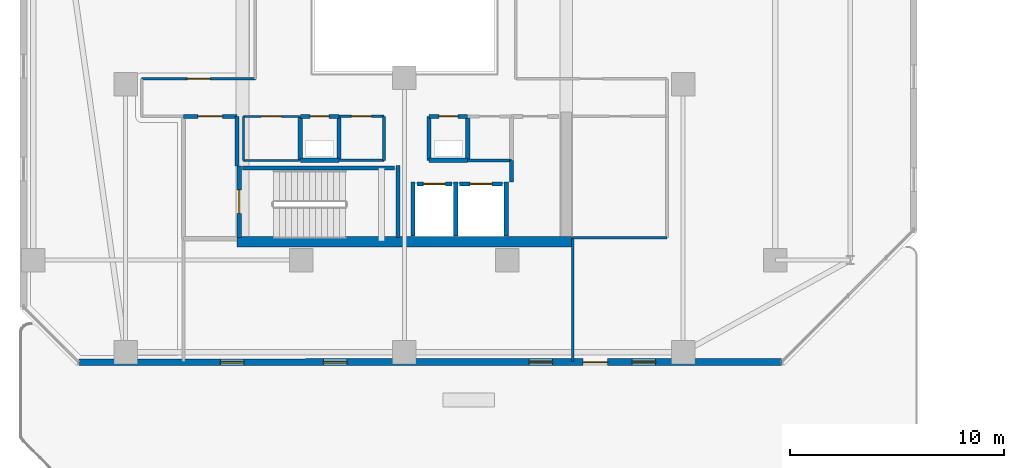
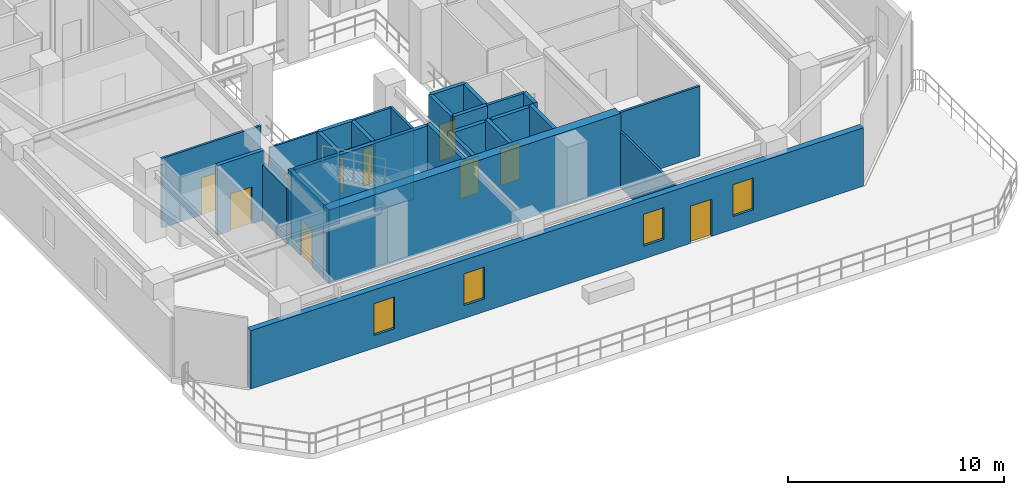
# One storey, part 20 of 33: 31 walls, 10 doors, 4 windows, 14 openings.
"""IFC4 building model written with IfcOpenShell, lengths in metres."""

from ifc_helpers import new_model, si_unit, direction, frame, frame_2d, origin, place, context, subcontext, project, spatial, rectangle, extrude, material, layer, layer_set, type_object, element, fill, save


model = new_model("IFC4")

# Units and contexts
model_context = context("Model", 3, precision=1e-05, world=origin(), true_north=direction((0.0, 1.0)))
body_context = subcontext(model_context, "Body", "Model", "MODEL_VIEW")
ifc_project = project(units=[si_unit("LENGTHUNIT", "METRE"), si_unit("AREAUNIT", "SQUARE_METRE"), si_unit("VOLUMEUNIT", "CUBIC_METRE"), si_unit("PLANEANGLEUNIT", "RADIAN"), si_unit("MASSUNIT", "GRAM", prefix="KILO")], contexts=[model_context])

# Site, building, storey
site_placement = place(None, origin())
site = spatial("IfcSite", under=ifc_project, at=site_placement, CompositionType="ELEMENT")
building_placement = place(site_placement, origin())
building = spatial("IfcBuilding", under=site, at=building_placement, Name="Thornwick Lancets Civic Towers", CompositionType="ELEMENT")
storey_placement = place(building_placement, frame((0.0, 0.0, 174.300048828125)))
storey = spatial("IfcBuildingStorey", under=building, at=storey_placement, Name="L46", CompositionType="ELEMENT", Elevation=174.300048828125)

# Wall, opening, door
ifc_material_1 = material(Name="Concrete blockwork C40/50", Category="masonry")
ifc_layer_1 = layer(ifc_material_1, 0.199951171875, Name="Concrete blockwork C40/50")
ifc_layer_set_1 = layer_set([ifc_layer_1], Name="Concrete blockwork C40/50")
wall_type_1 = type_object("IfcWallType", Name="WALL_COMP_200", PredefinedType="STANDARD", material=ifc_layer_set_1)
wall_1_placement = place(storey_placement, frame((26.080078125, 17.550048828125, 0.0), z_axis=(0.0, 0.0, 1.0), x_axis=(1.0, 0.0, 0.0)))
wall_1 = element("IfcWall", 1, at=wall_1_placement, inside=storey, type_object=wall_type_1, Name="L46 Hoistway Front Wall FL-A1", PredefinedType="STANDARD", context=body_context, shape_type="SweptSolid", body=[
    extrude(rectangle(XDim=1.639892578125, YDim=0.199951171875, at=frame_2d((0.81982421875, 0.0))), origin(), (0.0, 0.0, 1.0), 3.93994140625),
])
opening_1_placement = place(wall_1_placement, frame((0.31005859375, 0.0, 0.0)))
opening_1 = element("IfcOpeningElement", 2, at=opening_1_placement, cuts=wall_1, Name="Opening LD-FL-A1", PredefinedType="OPENING", context=body_context, shape_type="SweptSolid", body=[
    extrude(rectangle(XDim=1.02001953125, YDim=2.06005859375, at=frame_2d((0.510009765625, 1.030029296875))), frame((0.0, 0.10986328125, 0.0), z_axis=(0.0, -1.0, 0.0), x_axis=(1.0, 0.0, 0.0)), (0.0, 0.0, 1.0), 0.219970703125),
])
ifc_material_2 = material(Name="Brushed bronze stainless steel", Category="steel")
door_type_1 = type_object("IfcDoorType", Name="DOOR_LIFT_SLIDE", OperationType="SLIDING_TO_LEFT", PredefinedType="DOOR", material=ifc_material_2)
door_1_placement = place(opening_1_placement, origin())
door_1 = element("IfcDoor", 3, at=door_1_placement, inside=storey, type_object=door_type_1, Name="L46 Sliding Lift Landing Door LD-FL-A1", OperationType="SLIDING_TO_LEFT", OverallHeight=2.06005859375, OverallWidth=1.02001953125, PredefinedType="DOOR", context=body_context, shape_type="SweptSolid", body=[
    extrude(rectangle(XDim=1.02001953125, YDim=2.06005859375, at=frame_2d((0.510009765625, 1.030029296875))), frame((0.0, 0.02490234375, 0.0), z_axis=(0.0, -1.0, 0.0), x_axis=(1.0, 0.0, 0.0)), (0.0, 0.0, 1.0), 0.050048828125),
])
fill(opening_1, door_1)

wall_2_placement = place(storey_placement, frame((28.080078125, 17.550048828125, 0.0), z_axis=(0.0, 0.0, 1.0), x_axis=(1.0, 0.0, 0.0)))
wall_2 = element("IfcWall", 4, at=wall_2_placement, inside=storey, type_object=wall_type_1, Name="L46 Hoistway Front Wall PL-AH1", PredefinedType="STANDARD", context=body_context, shape_type="SweptSolid", body=[
    extrude(rectangle(XDim=1.989990234375, YDim=0.199951171875, at=frame_2d((0.9951171875, 0.0))), origin(), (0.0, 0.0, 1.0), 3.93994140625),
])
opening_2_placement = place(wall_2_placement, frame((0.485107421875, 0.0, 0.0)))
opening_2 = element("IfcOpeningElement", 5, at=opening_2_placement, cuts=wall_2, Name="Opening LD-PL-AH1", PredefinedType="OPENING", context=body_context, shape_type="SweptSolid", body=[
    extrude(rectangle(XDim=1.02001953125, YDim=2.06005859375, at=frame_2d((0.510009765625, 1.030029296875))), frame((0.0, 0.10986328125, 0.0), z_axis=(0.0, -1.0, 0.0), x_axis=(1.0, 0.0, 0.0)), (0.0, 0.0, 1.0), 0.219970703125),
])
door_2_placement = place(opening_2_placement, origin())
door_2 = element("IfcDoor", 6, at=door_2_placement, inside=storey, type_object=door_type_1, Name="L46 Sliding Lift Landing Door LD-PL-AH1", OperationType="SLIDING_TO_LEFT", OverallHeight=2.06005859375, OverallWidth=1.02001953125, PredefinedType="DOOR", context=body_context, shape_type="SweptSolid", body=[
    extrude(rectangle(XDim=1.02001953125, YDim=2.06005859375, at=frame_2d((0.510009765625, 1.030029296875))), frame((0.0, 0.02490234375, 0.0), z_axis=(0.0, -1.0, 0.0), x_axis=(1.0, 0.0, 0.0)), (0.0, 0.0, 1.0), 0.050048828125),
])
fill(opening_2, door_2)

# Walls
for number, where, z_axis, x_axis, name in (
    (7, (27.89990234375, 15.112060546875, 0.0), (0.0, 0.0, 1.0), (0.0, 1.0, 0.0), "L46 Hoistway Shaft Wall FL-A1 E"),
    (8, (25.89990234375, 15.112060546875, 0.0), (0.0, 0.0, 1.0), (0.0, 1.0, 0.0), "L46 Hoistway Shaft Wall FL-A1 W"),
    (9, (30.25, 15.112060546875, 0.0), (0.0, 0.0, 1.0), (0.0, 1.0, 0.0), "L46 Hoistway Shaft Wall PL-AH1 E"),
):
    element("IfcWall", number, at=place(storey_placement, frame(where, z_axis=z_axis, x_axis=x_axis)), inside=storey, type_object=wall_type_1, Name=name, PredefinedType="STANDARD", context=body_context, shape_type="SweptSolid", body=[
        extrude(rectangle(XDim=2.535888671875, YDim=0.199951171875, at=frame_2d((1.26806640625, 0.0))), origin(), (0.0, 0.0, 1.0), 3.93994140625),
    ])
wall_3_placement = place(storey_placement, frame((17.699951171875, 18.39990234375, 0.0), z_axis=(0.0, 0.0, 1.0), x_axis=(0.0, 1.0, 0.0)))
element("IfcWall", 10, at=wall_3_placement, inside=storey, type_object=wall_type_1, Name="L46 Partition L46-A-FFLOB1 E2", PredefinedType="STANDARD", context=body_context, shape_type="SweptSolid", body=[
    extrude(rectangle(XDim=2.300048828125, YDim=0.199951171875, at=frame_2d((1.14990234375, 0.0))), origin(), (0.0, 0.0, 1.0), 3.14501953125),
])

# Wall, opening, door
wall_4_placement = place(storey_placement, frame((17.699951171875, 20.699951171875, 0.0), z_axis=(0.0, 0.0, 1.0), x_axis=(-1.0, 0.0, 0.0)))
wall_4 = element("IfcWall", 11, at=wall_4_placement, inside=storey, type_object=wall_type_1, Name="L46 Partition L46-A-FFLOB1 E3", PredefinedType="STANDARD", context=body_context, shape_type="SweptSolid", body=[
    extrude(rectangle(XDim=2.5, YDim=0.199951171875, at=frame_2d((1.25, 0.0))), origin(), (0.0, 0.0, 1.0), 3.93994140625),
])
opening_3_placement = place(wall_4_placement, frame((0.675048828125, 0.0, 0.0)))
opening_3 = element("IfcOpeningElement", 12, at=opening_3_placement, cuts=wall_4, Name="Opening D-L46-2049", PredefinedType="OPENING", context=body_context, shape_type="SweptSolid", body=[
    extrude(rectangle(XDim=1.14990234375, YDim=2.10009765625, at=frame_2d((0.574951171875, 1.050048828125))), frame((0.0, 0.10986328125, 0.0), z_axis=(0.0, -1.0, 0.0), x_axis=(1.0, 0.0, 0.0)), (0.0, 0.0, 1.0), 0.219970703125),
])
ifc_material_3 = material(Name="Glazed fire-resisting steel", Category="steel")
door_type_2 = type_object("IfcDoorType", Name="DOOR_LOBBY_FD60", OperationType="NOTDEFINED", PredefinedType="DOOR", material=ifc_material_3)
door_3_placement = place(opening_3_placement, origin())
door_3 = element("IfcDoor", 13, at=door_3_placement, inside=storey, type_object=door_type_2, Name="L46 South Firefighting Lobby 1 Door", OperationType="SINGLE_SWING_RIGHT", OverallHeight=2.10009765625, OverallWidth=1.14990234375, PredefinedType="DOOR", context=body_context, shape_type="SweptSolid", body=[
    extrude(rectangle(XDim=1.14990234375, YDim=2.10009765625, at=frame_2d((0.574951171875, 1.050048828125))), frame((0.0, 0.02490234375, 0.0), z_axis=(0.0, -1.0, 0.0), x_axis=(1.0, 0.0, 0.0)), (0.0, 0.0, 1.0), 0.050048828125),
])
fill(opening_3, door_3)

# Walls
wall_5_placement = place(storey_placement, frame((26.64990234375, 18.64990234375, 0.0), z_axis=(0.0, 0.0, 1.0), x_axis=(1.0, 0.0, 0.0)))
element("IfcWall", 14, at=wall_5_placement, inside=storey, type_object=wall_type_1, Name="L46 Partition L46-A-DUCT1 E1", PredefinedType="STANDARD", context=body_context, shape_type="SweptSolid", body=[
    extrude(rectangle(XDim=1.800048828125, YDim=0.199951171875, at=frame_2d((0.89990234375, 0.0))), origin(), (0.0, 0.0, 1.0), 3.93994140625),
])
wall_6_placement = place(storey_placement, frame((28.449951171875, 18.64990234375, 0.0), z_axis=(0.0, 0.0, 1.0), x_axis=(0.0, 1.0, 0.0)))
element("IfcWall", 15, at=wall_6_placement, inside=storey, type_object=wall_type_1, Name="L46 Partition L46-A-DUCT1 E2", PredefinedType="STANDARD", context=body_context, shape_type="SweptSolid", body=[
    extrude(rectangle(XDim=2.050048828125, YDim=0.199951171875, at=frame_2d((1.02490234375, 0.0))), origin(), (0.0, 0.0, 1.0), 3.93994140625),
])

# Wall, opening, door
wall_7_placement = place(storey_placement, frame((28.449951171875, 20.699951171875, 0.0), z_axis=(0.0, 0.0, 1.0), x_axis=(-1.0, 0.0, 0.0)))
wall_7 = element("IfcWall", 16, at=wall_7_placement, inside=storey, type_object=wall_type_1, Name="L46 Partition L46-A-DUCT1 E3", PredefinedType="STANDARD", context=body_context, shape_type="SweptSolid", body=[
    extrude(rectangle(XDim=1.800048828125, YDim=0.199951171875, at=frame_2d((0.89990234375, 0.0))), origin(), (0.0, 0.0, 1.0), 3.93994140625),
])
opening_4_placement = place(wall_7_placement, frame((0.4599609375, 0.0, 0.0)))
opening_4 = element("IfcOpeningElement", 17, at=opening_4_placement, cuts=wall_7, Name="Opening D-L46-2051", PredefinedType="OPENING", context=body_context, shape_type="SweptSolid", body=[
    extrude(rectangle(XDim=0.8798828125, YDim=2.0400390625, at=frame_2d((0.43994140625, 1.02001953125))), frame((0.0, 0.10986328125, 0.0), z_axis=(0.0, -1.0, 0.0), x_axis=(1.0, 0.0, 0.0)), (0.0, 0.0, 1.0), 0.219970703125),
])
ifc_material_4 = material(Name="Steel riser access doorset", Category="steel")
door_type_3 = type_object("IfcDoorType", Name="DOOR_RISER_850", OperationType="NOTDEFINED", PredefinedType="DOOR", material=ifc_material_4)
door_4_placement = place(opening_4_placement, origin())
door_4 = element("IfcDoor", 18, at=door_4_placement, inside=storey, type_object=door_type_3, Name="L46 South Service Duct 1 Door", OperationType="SINGLE_SWING_RIGHT", OverallHeight=2.0400390625, OverallWidth=0.8798828125, PredefinedType="DOOR", context=body_context, shape_type="SweptSolid", body=[
    extrude(rectangle(XDim=0.8798828125, YDim=2.0400390625, at=frame_2d((0.43994140625, 1.02001953125))), frame((0.0, 0.02490234375, 0.0), z_axis=(0.0, -1.0, 0.0), x_axis=(1.0, 0.0, 0.0)), (0.0, 0.0, 1.0), 0.050048828125),
])
fill(opening_4, door_4)

# Walls
wall_8_placement = place(storey_placement, frame((26.64990234375, 20.699951171875, 0.0), z_axis=(0.0, 0.0, 1.0), x_axis=(0.0, -1.0, 0.0)))
element("IfcWall", 19, at=wall_8_placement, inside=storey, type_object=wall_type_1, Name="L46 Partition L46-A-DUCT1 E4", PredefinedType="STANDARD", context=body_context, shape_type="SweptSolid", body=[
    extrude(rectangle(XDim=2.050048828125, YDim=0.199951171875, at=frame_2d((1.02490234375, 0.0))), origin(), (0.0, 0.0, 1.0), 3.93994140625),
])
wall_9_placement = place(storey_placement, frame((20.64990234375, 18.64990234375, 0.0), z_axis=(0.0, 0.0, 1.0), x_axis=(1.0, 0.0, 0.0)))
element("IfcWall", 20, at=wall_9_placement, inside=storey, type_object=wall_type_1, Name="L46 Partition L46-A-RISER1 E1", PredefinedType="STANDARD", context=body_context, shape_type="SweptSolid", body=[
    extrude(rectangle(XDim=1.800048828125, YDim=0.199951171875, at=frame_2d((0.89990234375, 0.0))), origin(), (0.0, 0.0, 1.0), 3.93994140625),
])
wall_10_placement = place(storey_placement, frame((22.449951171875, 18.64990234375, 0.0), z_axis=(0.0, 0.0, 1.0), x_axis=(0.0, 1.0, 0.0)))
element("IfcWall", 21, at=wall_10_placement, inside=storey, type_object=wall_type_1, Name="L46 Partition L46-A-RISER1 E2", PredefinedType="STANDARD", context=body_context, shape_type="SweptSolid", body=[
    extrude(rectangle(XDim=2.050048828125, YDim=0.199951171875, at=frame_2d((1.02490234375, 0.0))), origin(), (0.0, 0.0, 1.0), 3.93994140625),
])

# Wall, opening, door
wall_11_placement = place(storey_placement, frame((22.449951171875, 20.699951171875, 0.0), z_axis=(0.0, 0.0, 1.0), x_axis=(-1.0, 0.0, 0.0)))
wall_11 = element("IfcWall", 22, at=wall_11_placement, inside=storey, type_object=wall_type_1, Name="L46 Partition L46-A-RISER1 E3", PredefinedType="STANDARD", context=body_context, shape_type="SweptSolid", body=[
    extrude(rectangle(XDim=1.800048828125, YDim=0.199951171875, at=frame_2d((0.89990234375, 0.0))), origin(), (0.0, 0.0, 1.0), 3.93994140625),
])
opening_5_placement = place(wall_11_placement, frame((0.4599609375, 0.0, 0.0)))
opening_5 = element("IfcOpeningElement", 23, at=opening_5_placement, cuts=wall_11, Name="Opening D-L46-2052", PredefinedType="OPENING", context=body_context, shape_type="SweptSolid", body=[
    extrude(rectangle(XDim=0.8798828125, YDim=2.0400390625, at=frame_2d((0.43994140625, 1.02001953125))), frame((0.0, 0.10986328125, 0.0), z_axis=(0.0, -1.0, 0.0), x_axis=(1.0, 0.0, 0.0)), (0.0, 0.0, 1.0), 0.219970703125),
])
door_5_placement = place(opening_5_placement, origin())
door_5 = element("IfcDoor", 24, at=door_5_placement, inside=storey, type_object=door_type_3, Name="L46 South Electrical Riser 1 Door", OperationType="SINGLE_SWING_LEFT", OverallHeight=2.0400390625, OverallWidth=0.8798828125, PredefinedType="DOOR", context=body_context, shape_type="SweptSolid", body=[
    extrude(rectangle(XDim=0.8798828125, YDim=2.0400390625, at=frame_2d((0.43994140625, 1.02001953125))), frame((0.0, 0.02490234375, 0.0), z_axis=(0.0, -1.0, 0.0), x_axis=(1.0, 0.0, 0.0)), (0.0, 0.0, 1.0), 0.050048828125),
])
fill(opening_5, door_5)

# Walls
wall_12_placement = place(storey_placement, frame((20.64990234375, 20.699951171875, 0.0), z_axis=(0.0, 0.0, 1.0), x_axis=(0.0, -1.0, 0.0)))
element("IfcWall", 25, at=wall_12_placement, inside=storey, type_object=wall_type_1, Name="L46 Partition L46-A-RISER1 E4", PredefinedType="STANDARD", context=body_context, shape_type="SweptSolid", body=[
    extrude(rectangle(XDim=2.050048828125, YDim=0.199951171875, at=frame_2d((1.02490234375, 0.0))), origin(), (0.0, 0.0, 1.0), 3.93994140625),
])
wall_13_placement = place(storey_placement, frame((30.5, 17.64794921875, 0.0), z_axis=(0.0, 0.0, 1.0), x_axis=(0.0, 1.0, 0.0)))
element("IfcWall", 26, at=wall_13_placement, inside=storey, type_object=wall_type_1, Name="L46 Partition L46-A-STR2 E3", PredefinedType="STANDARD", context=body_context, shape_type="SweptSolid", body=[
    extrude(rectangle(XDim=1.001953125, YDim=0.199951171875, at=frame_2d((0.5009765625, 0.0))), origin(), (0.0, 0.0, 1.0), 3.93994140625),
])
ifc_material_5 = material(Name="Concrete C50/60", Category="concrete")
ifc_layer_2 = layer(ifc_material_5, 0.5, Name="Concrete C50/60")
ifc_layer_set_2 = layer_set([ifc_layer_2], Name="Concrete C50/60")
wall_type_2 = type_object("IfcWallType", Name="WALL_CORE_500", PredefinedType="SHEAR", material=ifc_layer_set_2)
wall_14_placement = place(storey_placement, frame((17.699951171875, 14.85009765625, 0.0), z_axis=(0.0, 0.0, 1.0), x_axis=(1.0, 0.0, 0.0)))
element("IfcWall", 27, at=wall_14_placement, inside=storey, type_object=wall_type_2, Name="L46 Split Core A1 Shear Wall S", PredefinedType="SHEAR", context=body_context, shape_type="SweptSolid", body=[
    extrude(rectangle(XDim=15.60009765625, YDim=0.5, at=frame_2d((7.800048828125, 0.0))), origin(), (0.0, 0.0, 1.0), 4.199951171875),
])

# Wall, openings, door, windows
ifc_material_6 = material(Name="Insulated buff terracotta rainscreen on concrete C40/50", Category="masonry")
ifc_layer_3 = layer(ifc_material_6, 0.320068359375, Name="Insulated buff terracotta rainscreen on concrete C40/50")
ifc_layer_set_3 = layer_set([ifc_layer_3], Name="Insulated buff terracotta rainscreen on concrete C40/50")
wall_type_3 = type_object("IfcWallType", Name="WALL_EXT_TERRA_320", PredefinedType="STANDARD", material=ifc_layer_set_3)
wall_15_placement = place(storey_placement, frame((10.318603515625, 9.2353515625, 0.0), z_axis=(0.0, 0.0, 1.0), x_axis=(0.999999933399, 0.000364968916, 0.0)))
wall_15 = element("IfcWall", 28, at=wall_15_placement, inside=storey, type_object=wall_type_3, Name="L46 Tower A Terracotta Facade Wall E0", PredefinedType="STANDARD", context=body_context, shape_type="SweptSolid", body=[
    extrude(rectangle(XDim=32.77783203125, YDim=0.320068359375, at=frame_2d((16.388916015625, 0.0))), origin(), (0.0, 0.0, 1.0), 3.300048828125),
])
opening_6_placement = place(wall_15_placement, frame((23.513916015625, 0.0, 0.0)))
opening_6 = element("IfcOpeningElement", 29, at=opening_6_placement, cuts=wall_15, Name="Opening D-SG-L46-A0", PredefinedType="OPENING", context=body_context, shape_type="SweptSolid", body=[
    extrude(rectangle(XDim=1.14990234375, YDim=2.10009765625, at=frame_2d((0.574951171875, 1.050048828125))), frame((0.0, 0.169921875, 0.0), z_axis=(0.0, -1.0, 0.0), x_axis=(1.0, 0.0, 0.0)), (0.0, 0.0, 1.0), 0.340087890625),
])
opening_7_placement = place(wall_15_placement, frame((6.60009765625, 0.0, 0.719970703125)))
opening_7 = element("IfcOpeningElement", 30, at=opening_7_placement, cuts=wall_15, Name="Opening WL-02", PredefinedType="OPENING", context=body_context, shape_type="SweptSolid", body=[
    extrude(rectangle(XDim=1.10009765625, YDim=1.800048828125, at=frame_2d((0.550048828125, 0.89990234375))), frame((0.0, 0.169921875, 0.0), z_axis=(0.0, -1.0, 0.0), x_axis=(1.0, 0.0, 0.0)), (0.0, 0.0, 1.0), 0.340087890625),
])
opening_8_placement = place(wall_15_placement, frame((11.39990234375, 0.0, 0.719970703125)))
opening_8 = element("IfcOpeningElement", 31, at=opening_8_placement, cuts=wall_15, Name="Opening WL-02", PredefinedType="OPENING", context=body_context, shape_type="SweptSolid", body=[
    extrude(rectangle(XDim=1.10009765625, YDim=1.800048828125, at=frame_2d((0.550048828125, 0.89990234375))), frame((0.0, 0.169921875, 0.0), z_axis=(0.0, -1.0, 0.0), x_axis=(1.0, 0.0, 0.0)), (0.0, 0.0, 1.0), 0.340087890625),
])
opening_9_placement = place(wall_15_placement, frame((21.0, 0.0, 0.719970703125)))
opening_9 = element("IfcOpeningElement", 32, at=opening_9_placement, cuts=wall_15, Name="Opening WL-02", PredefinedType="OPENING", context=body_context, shape_type="SweptSolid", body=[
    extrude(rectangle(XDim=1.10009765625, YDim=1.800048828125, at=frame_2d((0.550048828125, 0.89990234375))), frame((0.0, 0.169921875, 0.0), z_axis=(0.0, -1.0, 0.0), x_axis=(1.0, 0.0, 0.0)), (0.0, 0.0, 1.0), 0.340087890625),
])
opening_10_placement = place(wall_15_placement, frame((25.800048828125, 0.0, 0.719970703125)))
opening_10 = element("IfcOpeningElement", 33, at=opening_10_placement, cuts=wall_15, Name="Opening WL-02", PredefinedType="OPENING", context=body_context, shape_type="SweptSolid", body=[
    extrude(rectangle(XDim=1.10009765625, YDim=1.800048828125, at=frame_2d((0.550048828125, 0.89990234375))), frame((0.0, 0.169921875, 0.0), z_axis=(0.0, -1.0, 0.0), x_axis=(1.0, 0.0, 0.0)), (0.0, 0.0, 1.0), 0.340087890625),
])
ifc_material_7 = material(Name="Thermally broken glazed terrace doorset")
door_type_4 = type_object("IfcDoorType", Name="DOOR_TERRACE_1200", OperationType="NOTDEFINED", PredefinedType="DOOR", material=ifc_material_7)
door_6_placement = place(opening_6_placement, origin())
door_6 = element("IfcDoor", 34, at=door_6_placement, inside=storey, type_object=door_type_4, Name="L46 Tower A Sky-Garden Terrace Door", OperationType="SINGLE_SWING_RIGHT", OverallHeight=2.10009765625, OverallWidth=1.14990234375, PredefinedType="DOOR", context=body_context, shape_type="SweptSolid", body=[
    extrude(rectangle(XDim=1.14990234375, YDim=2.10009765625, at=frame_2d((0.574951171875, 1.050048828125))), frame((0.0, 0.02490234375, 0.0), z_axis=(0.0, -1.0, 0.0), x_axis=(1.0, 0.0, 0.0)), (0.0, 0.0, 1.0), 0.050048828125),
])
fill(opening_6, door_6)
ifc_material_8 = material(Name="Clear low-e double glazing in bronze frame", Category="glass")
window_type = type_object("IfcWindowType", Name="WIN_LANCET_1100", PartitioningType="SINGLE_PANEL", PredefinedType="WINDOW", material=ifc_material_8)
window_1_placement = place(opening_7_placement, origin())
window_1 = element("IfcWindow", 35, at=window_1_placement, inside=storey, type_object=window_type, Name="L46 Tower A Staggered Lancet Window E0-1", OverallHeight=1.800048828125, OverallWidth=1.10009765625, PartitioningType="SINGLE_PANEL", PredefinedType="WINDOW", context=body_context, shape_type="SweptSolid", body=[
    extrude(rectangle(XDim=1.10009765625, YDim=1.800048828125, at=frame_2d((0.550048828125, 0.89990234375))), frame((0.0, 0.030029296875, 0.0), z_axis=(0.0, -1.0, 0.0), x_axis=(1.0, 0.0, 0.0)), (0.0, 0.0, 1.0), 0.06005859375),
])
fill(opening_7, window_1)
window_2_placement = place(opening_8_placement, origin())
window_2 = element("IfcWindow", 36, at=window_2_placement, inside=storey, type_object=window_type, Name="L46 Tower A Staggered Lancet Window E0-2", OverallHeight=1.800048828125, OverallWidth=1.10009765625, PartitioningType="SINGLE_PANEL", PredefinedType="WINDOW", context=body_context, shape_type="SweptSolid", body=[
    extrude(rectangle(XDim=1.10009765625, YDim=1.800048828125, at=frame_2d((0.550048828125, 0.89990234375))), frame((0.0, 0.030029296875, 0.0), z_axis=(0.0, -1.0, 0.0), x_axis=(1.0, 0.0, 0.0)), (0.0, 0.0, 1.0), 0.06005859375),
])
fill(opening_8, window_2)
window_3_placement = place(opening_9_placement, origin())
window_3 = element("IfcWindow", 37, at=window_3_placement, inside=storey, type_object=window_type, Name="L46 Tower A Staggered Lancet Window E0-3", OverallHeight=1.800048828125, OverallWidth=1.10009765625, PartitioningType="SINGLE_PANEL", PredefinedType="WINDOW", context=body_context, shape_type="SweptSolid", body=[
    extrude(rectangle(XDim=1.10009765625, YDim=1.800048828125, at=frame_2d((0.550048828125, 0.89990234375))), frame((0.0, 0.030029296875, 0.0), z_axis=(0.0, -1.0, 0.0), x_axis=(1.0, 0.0, 0.0)), (0.0, 0.0, 1.0), 0.06005859375),
])
fill(opening_9, window_3)
window_4_placement = place(opening_10_placement, origin())
window_4 = element("IfcWindow", 38, at=window_4_placement, inside=storey, type_object=window_type, Name="L46 Tower A Staggered Lancet Window E0-4", OverallHeight=1.800048828125, OverallWidth=1.10009765625, PartitioningType="SINGLE_PANEL", PredefinedType="WINDOW", context=body_context, shape_type="SweptSolid", body=[
    extrude(rectangle(XDim=1.10009765625, YDim=1.800048828125, at=frame_2d((0.550048828125, 0.89990234375))), frame((0.0, 0.030029296875, 0.0), z_axis=(0.0, -1.0, 0.0), x_axis=(1.0, 0.0, 0.0)), (0.0, 0.0, 1.0), 0.06005859375),
])
fill(opening_10, window_4)

# Wall
ifc_material_9 = material(Name="Lightweight cellular office partition")
ifc_layer_4 = layer(ifc_material_9, 0.10009765625, Name="Lightweight cellular office partition")
ifc_layer_set_4 = layer_set([ifc_layer_4], Name="Lightweight cellular office partition")
wall_type_4 = type_object("IfcWallType", Name="WALL_PART_100", PredefinedType="PARTITIONING", material=ifc_layer_set_4)
wall_16_placement = place(storey_placement, frame((18.0, 18.64990234375, 0.0), z_axis=(0.0, 0.0, 1.0), x_axis=(1.0, 0.0, 0.0)))
element("IfcWall", 39, at=wall_16_placement, inside=storey, type_object=wall_type_4, Name="L46 Partition L46-A-CLN E1", PredefinedType="PARTITIONING", context=body_context, shape_type="SweptSolid", body=[
    extrude(rectangle(XDim=2.60009765625, YDim=0.10009765625, at=frame_2d((1.300048828125, 0.0))), origin(), (0.0, 0.0, 1.0), 3.93994140625),
])

# Wall, opening, door
wall_17_placement = place(storey_placement, frame((20.60009765625, 20.699951171875, 0.0), z_axis=(0.0, 0.0, 1.0), x_axis=(-1.0, 0.0, 0.0)))
wall_17 = element("IfcWall", 40, at=wall_17_placement, inside=storey, type_object=wall_type_4, Name="L46 Partition L46-A-CLN E3", PredefinedType="PARTITIONING", context=body_context, shape_type="SweptSolid", body=[
    extrude(rectangle(XDim=2.60009765625, YDim=0.10009765625, at=frame_2d((1.300048828125, 0.0))), origin(), (0.0, 0.0, 1.0), 3.93994140625),
])
opening_11_placement = place(wall_17_placement, frame((0.824951171875, 0.0, 0.0)))
opening_11 = element("IfcOpeningElement", 41, at=opening_11_placement, cuts=wall_17, Name="Opening D-L46-2055", PredefinedType="OPENING", context=body_context, shape_type="SweptSolid", body=[
    extrude(rectangle(XDim=0.949951171875, YDim=2.10009765625, at=frame_2d((0.47509765625, 1.050048828125))), frame((0.0, 0.06005859375, 0.0), z_axis=(0.0, -1.0, 0.0), x_axis=(1.0, 0.0, 0.0)), (0.0, 0.0, 1.0), 0.1201171875),
])
ifc_material_10 = material(Name="European oak acoustic doorset")
door_type_5 = type_object("IfcDoorType", Name="DOOR_OFFICE_950", OperationType="NOTDEFINED", PredefinedType="DOOR", material=ifc_material_10)
door_7_placement = place(opening_11_placement, origin())
door_7 = element("IfcDoor", 42, at=door_7_placement, inside=storey, type_object=door_type_5, Name="L46 Tower A Cleaners Store Door", OperationType="SINGLE_SWING_RIGHT", OverallHeight=2.10009765625, OverallWidth=0.949951171875, PredefinedType="DOOR", context=body_context, shape_type="SweptSolid", body=[
    extrude(rectangle(XDim=0.949951171875, YDim=2.10009765625, at=frame_2d((0.47509765625, 1.050048828125))), frame((0.0, 0.02490234375, 0.0), z_axis=(0.0, -1.0, 0.0), x_axis=(1.0, 0.0, 0.0)), (0.0, 0.0, 1.0), 0.050048828125),
])
fill(opening_11, door_7)

# Walls
wall_18_placement = place(storey_placement, frame((18.0, 20.699951171875, 0.0), z_axis=(0.0, 0.0, 1.0), x_axis=(0.0, -1.0, 0.0)))
element("IfcWall", 43, at=wall_18_placement, inside=storey, type_object=wall_type_4, Name="L46 Partition L46-A-CLN E4", PredefinedType="PARTITIONING", context=body_context, shape_type="SweptSolid", body=[
    extrude(rectangle(XDim=2.050048828125, YDim=0.10009765625, at=frame_2d((1.02490234375, 0.0))), origin(), (0.0, 0.0, 1.0), 3.14501953125),
])
ifc_material_11 = material(Name="Acoustic gypsum board partition")
ifc_layer_5 = layer(ifc_material_11, 0.1201171875, Name="Acoustic gypsum board partition")
ifc_layer_set_5 = layer_set([ifc_layer_5], Name="Acoustic gypsum board partition")
wall_type_5 = type_object("IfcWallType", Name="WALL_PART_120", PredefinedType="PARTITIONING", material=ifc_layer_set_5)
wall_19_placement = place(storey_placement, frame((24.550048828125, 20.699951171875, 0.0), z_axis=(0.0, 0.0, 1.0), x_axis=(0.0, -1.0, 0.0)))
element("IfcWall", 44, at=wall_19_placement, inside=storey, type_object=wall_type_5, Name="L46 Partition L46-A-ITR E1", PredefinedType="PARTITIONING", context=body_context, shape_type="SweptSolid", body=[
    extrude(rectangle(XDim=2.050048828125, YDim=0.1201171875, at=frame_2d((1.02490234375, 0.0))), origin(), (0.0, 0.0, 1.0), 3.93994140625),
])
wall_20_placement = place(storey_placement, frame((24.550048828125, 18.64990234375, 0.0), z_axis=(0.0, 0.0, 1.0), x_axis=(-1.0, 0.0, 0.0)))
element("IfcWall", 45, at=wall_20_placement, inside=storey, type_object=wall_type_5, Name="L46 Partition L46-A-ITR E2", PredefinedType="PARTITIONING", context=body_context, shape_type="SweptSolid", body=[
    extrude(rectangle(XDim=2.10009765625, YDim=0.1201171875, at=frame_2d((1.050048828125, 0.0))), origin(), (0.0, 0.0, 1.0), 3.93994140625),
])

# Wall, opening, door
wall_21_placement = place(storey_placement, frame((22.449951171875, 20.699951171875, 0.0), z_axis=(0.0, 0.0, 1.0), x_axis=(1.0, 0.0, 0.0)))
wall_21 = element("IfcWall", 46, at=wall_21_placement, inside=storey, type_object=wall_type_5, Name="L46 Partition L46-A-ITR E4", PredefinedType="PARTITIONING", context=body_context, shape_type="SweptSolid", body=[
    extrude(rectangle(XDim=2.10009765625, YDim=0.1201171875, at=frame_2d((1.050048828125, 0.0))), origin(), (0.0, 0.0, 1.0), 3.93994140625),
])
opening_12_placement = place(wall_21_placement, frame((0.574951171875, 0.0, 0.0)))
opening_12 = element("IfcOpeningElement", 47, at=opening_12_placement, cuts=wall_21, Name="Opening D-L46-2056", PredefinedType="OPENING", context=body_context, shape_type="SweptSolid", body=[
    extrude(rectangle(XDim=0.949951171875, YDim=2.10009765625, at=frame_2d((0.47509765625, 1.050048828125))), frame((0.0, 0.070068359375, 0.0), z_axis=(0.0, -1.0, 0.0), x_axis=(1.0, 0.0, 0.0)), (0.0, 0.0, 1.0), 0.14013671875),
])
door_8_placement = place(opening_12_placement, origin())
door_8 = element("IfcDoor", 48, at=door_8_placement, inside=storey, type_object=door_type_5, Name="L46 Tower A Comms Patch Room Door", OperationType="SINGLE_SWING_LEFT", OverallHeight=2.10009765625, OverallWidth=0.949951171875, PredefinedType="DOOR", context=body_context, shape_type="SweptSolid", body=[
    extrude(rectangle(XDim=0.949951171875, YDim=2.10009765625, at=frame_2d((0.47509765625, 1.050048828125))), frame((0.0, 0.02490234375, 0.0), z_axis=(0.0, -1.0, 0.0), x_axis=(1.0, 0.0, 0.0)), (0.0, 0.0, 1.0), 0.050048828125),
])
fill(opening_12, door_8)

# Wall
wall_22_placement = place(storey_placement, frame((37.75, 15.050048828125, 0.0), z_axis=(0.0, 0.0, 1.0), x_axis=(-1.0, 0.0, 0.0)))
element("IfcWall", 49, at=wall_22_placement, inside=storey, type_object=wall_type_5, Name="L46 Partition L46-A-RECLAIM-L1 E1", PredefinedType="PARTITIONING", context=body_context, shape_type="SweptSolid", body=[
    extrude(rectangle(XDim=4.39990234375, YDim=0.1201171875, at=frame_2d((2.199951171875, 0.0))), origin(), (0.0, 0.0, 1.0), 3.93994140625),
])

# Wall, opening, door
wall_23_placement = place(storey_placement, frame((18.550048828125, 22.449951171875, 0.0), z_axis=(0.0, 0.0, 1.0), x_axis=(-1.0, 0.0, 0.0)))
wall_23 = element("IfcWall", 50, at=wall_23_placement, inside=storey, type_object=wall_type_5, Name="L46 Partition L46-A-W1 E4", PredefinedType="PARTITIONING", context=body_context, shape_type="SweptSolid", body=[
    extrude(rectangle(XDim=5.300048828125, YDim=0.1201171875, at=frame_2d((2.64990234375, 0.0))), origin(), (0.0, 0.0, 1.0), 3.93994140625),
])
opening_13_placement = place(wall_23_placement, frame((2.125, 0.0, 0.0)))
opening_13 = element("IfcOpeningElement", 51, at=opening_13_placement, cuts=wall_23, Name="Opening D-L46-2074", PredefinedType="OPENING", context=body_context, shape_type="SweptSolid", body=[
    extrude(rectangle(XDim=1.050048828125, YDim=2.10009765625, at=frame_2d((0.52490234375, 1.050048828125))), frame((0.0, 0.070068359375, 0.0), z_axis=(0.0, -1.0, 0.0), x_axis=(1.0, 0.0, 0.0)), (0.0, 0.0, 1.0), 0.14013671875),
])
ifc_material_12 = material(Name="Glazed European oak executive doorset")
door_type_6 = type_object("IfcDoorType", Name="DOOR_OFFICE_1050", OperationType="NOTDEFINED", PredefinedType="DOOR", material=ifc_material_12)
door_9_placement = place(opening_13_placement, origin())
door_9 = element("IfcDoor", 52, at=door_9_placement, inside=storey, type_object=door_type_6, Name="L46 Tower A Ministry Directorate Office W1 Door", OperationType="SINGLE_SWING_LEFT", OverallHeight=2.10009765625, OverallWidth=1.050048828125, PredefinedType="DOOR", context=body_context, shape_type="SweptSolid", body=[
    extrude(rectangle(XDim=1.050048828125, YDim=2.10009765625, at=frame_2d((0.52490234375, 1.050048828125))), frame((0.0, 0.02490234375, 0.0), z_axis=(0.0, -1.0, 0.0), x_axis=(1.0, 0.0, 0.0)), (0.0, 0.0, 1.0), 0.050048828125),
])
fill(opening_13, door_9)

# Walls
wall_24_placement = place(storey_placement, frame((33.35009765625, 9.280029296875, 0.0), z_axis=(0.0, 0.0, 1.0), x_axis=(0.0, 1.0, 0.0)))
element("IfcWall", 53, at=wall_24_placement, inside=storey, type_object=wall_type_5, Name="L46 Partition L46-A-E1 E10", PredefinedType="PARTITIONING", context=body_context, shape_type="SweptSolid", body=[
    extrude(rectangle(XDim=5.77001953125, YDim=0.1201171875, at=frame_2d((2.885009765625, 0.0))), origin(), (0.0, 0.0, 1.0), 3.14501953125),
])
ifc_material_13 = material(Name="Twin-stud acoustic gypsum board")
ifc_layer_6 = layer(ifc_material_13, 0.14990234375, Name="Twin-stud acoustic gypsum board")
ifc_layer_set_6 = layer_set([ifc_layer_6], Name="Twin-stud acoustic gypsum board")
wall_type_6 = type_object("IfcWallType", Name="WALL_PART_150", PredefinedType="PARTITIONING", material=ifc_layer_set_6)
wall_25_placement = place(storey_placement, frame((30.5, 18.64990234375, 0.0), z_axis=(0.0, 0.0, 1.0), x_axis=(-1.0, 0.0, 0.0)))
element("IfcWall", 54, at=wall_25_placement, inside=storey, type_object=wall_type_6, Name="L46 Partition L46-A-AWC E2", PredefinedType="PARTITIONING", context=body_context, shape_type="SweptSolid", body=[
    extrude(rectangle(XDim=2.050048828125, YDim=0.14990234375, at=frame_2d((1.02490234375, 0.0))), origin(), (0.0, 0.0, 1.0), 3.93994140625),
])

# Wall, opening, door
ifc_material_14 = material(Name="Concrete C40/50", Category="concrete")
ifc_layer_7 = layer(ifc_material_14, 0.199951171875, Name="Concrete C40/50")
ifc_layer_set_7 = layer_set([ifc_layer_7], Name="Concrete C40/50")
wall_type_7 = type_object("IfcWallType", Name="WALL_SHAFT_200", PredefinedType="SHEAR", material=ifc_layer_set_7)
wall_26_placement = place(storey_placement, frame((17.800048828125, 15.050048828125, 0.0), z_axis=(0.0, 0.0, 1.0), x_axis=(0.0, 1.0, 0.0)))
wall_26 = element("IfcWall", 55, at=wall_26_placement, inside=storey, type_object=wall_type_7, Name="L46 ST-A1 Fire Stair Core Wall NEAR", PredefinedType="SHEAR", context=body_context, shape_type="SweptSolid", body=[
    extrude(rectangle(XDim=3.349853515625, YDim=0.199951171875, at=frame_2d((1.6748046875, 0.0))), origin(), (0.0, 0.0, 1.0), 4.199951171875),
])
opening_14_placement = place(wall_26_placement, frame((1.125, 0.0, 0.0)))
opening_14 = element("IfcOpeningElement", 56, at=opening_14_placement, cuts=wall_26, Name="Opening D-ST-A1-L46", PredefinedType="OPENING", context=body_context, shape_type="SweptSolid", body=[
    extrude(rectangle(XDim=1.10009765625, YDim=2.10009765625, at=frame_2d((0.550048828125, 1.050048828125))), frame((0.0, 0.10986328125, 0.0), z_axis=(0.0, -1.0, 0.0), x_axis=(1.0, 0.0, 0.0)), (0.0, 0.0, 1.0), 0.219970703125),
])
ifc_material_15 = material(Name="Fire-resisting steel and hardwood", Category="steel")
door_type_7 = type_object("IfcDoorType", Name="DOOR_STAIR_FD60", OperationType="NOTDEFINED", PredefinedType="DOOR", material=ifc_material_15)
door_10_placement = place(opening_14_placement, origin())
door_10 = element("IfcDoor", 57, at=door_10_placement, inside=storey, type_object=door_type_7, Name="L46 ST-A1 Exit Stair Door", OperationType="SINGLE_SWING_RIGHT", OverallHeight=2.10009765625, OverallWidth=1.10009765625, PredefinedType="DOOR", context=body_context, shape_type="SweptSolid", body=[
    extrude(rectangle(XDim=1.10009765625, YDim=2.10009765625, at=frame_2d((0.550048828125, 1.050048828125))), frame((0.0, 0.02490234375, 0.0), z_axis=(0.0, -1.0, 0.0), x_axis=(1.0, 0.0, 0.0)), (0.0, 0.0, 1.0), 0.050048828125),
])
fill(opening_14, door_10)

# Walls
wall_27_placement = place(storey_placement, frame((25.199951171875, 18.39990234375, 0.0), z_axis=(0.0, 0.0, 1.0), x_axis=(0.0, -1.0, 0.0)))
element("IfcWall", 58, at=wall_27_placement, inside=storey, type_object=wall_type_7, Name="L46 ST-A1 Fire Stair Core Wall FAR", PredefinedType="SHEAR", context=body_context, shape_type="SweptSolid", body=[
    extrude(rectangle(XDim=3.349853515625, YDim=0.199951171875, at=frame_2d((1.6748046875, 0.0))), origin(), (0.0, 0.0, 1.0), 4.199951171875),
])
wall_28_placement = place(storey_placement, frame((25.050048828125, 18.297119140625, 0.0), z_axis=(0.0, 0.0, 1.0), x_axis=(-1.0, 0.0, 0.0)))
element("IfcWall", 59, at=wall_28_placement, inside=storey, type_object=wall_type_7, Name="L46 ST-A1 Fire Stair Core Wall RIGHT", PredefinedType="SHEAR", context=body_context, shape_type="SweptSolid", body=[
    extrude(rectangle(XDim=7.10009765625, YDim=0.199951171875, at=frame_2d((3.550048828125, 0.0))), origin(), (0.0, 0.0, 1.0), 4.199951171875),
])

save(model, "model.ifc")
